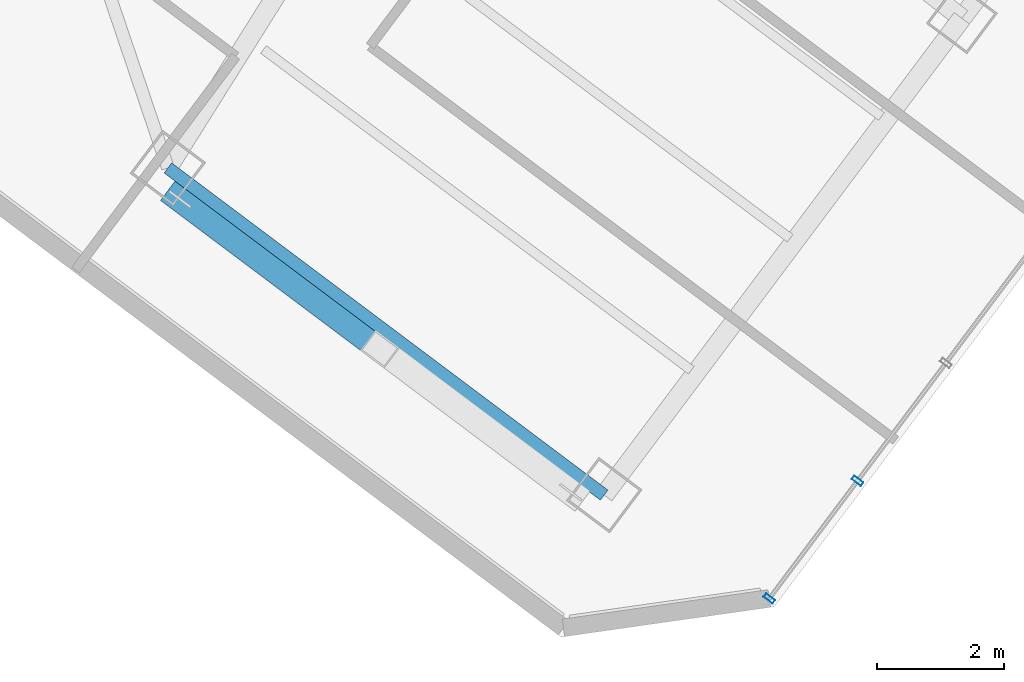
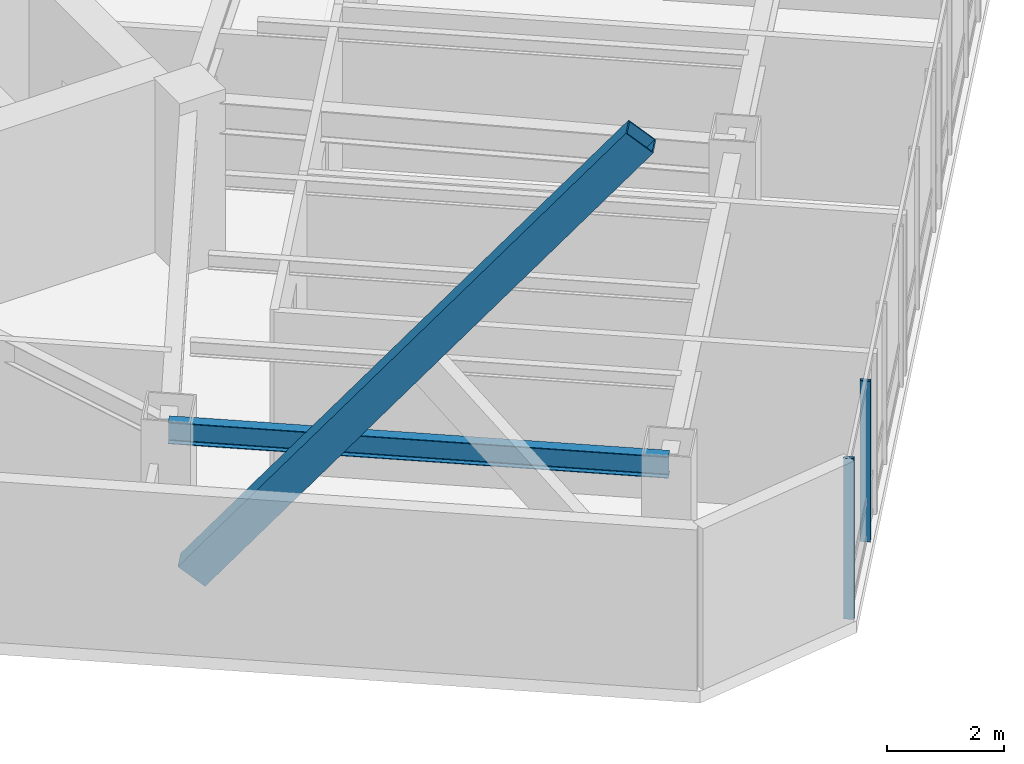
# One storey, part 10 of 27: 3 members, 1 beam, 1 element without a shape of its own.
"""IFC4 building model written with IfcOpenShell, lengths in metres."""

from ifc_helpers import new_model, si_unit, direction, frame, origin, origin_2d, place, context, subcontext, project, spatial, hollow_rectangle, i_section, extrude, material, layer, layer_set, material_profile, profile_set, type_object, element, aggregate, save


model = new_model("IFC4")

# Units and contexts
model_context = context("Model", 3, precision=1e-05, world=origin(), true_north=direction((0.0, 1.0)))
body_context = subcontext(model_context, "Body", "Model", "MODEL_VIEW")
ifc_project = project(units=[si_unit("LENGTHUNIT", "METRE"), si_unit("AREAUNIT", "SQUARE_METRE"), si_unit("VOLUMEUNIT", "CUBIC_METRE"), si_unit("PLANEANGLEUNIT", "RADIAN"), si_unit("MASSUNIT", "GRAM", prefix="KILO")], contexts=[model_context])

# Site, building, storey
site_placement = place(None, origin())
site = spatial("IfcSite", under=ifc_project, at=site_placement, CompositionType="ELEMENT")
building_placement = place(site_placement, origin())
building = spatial("IfcBuilding", under=site, at=building_placement, Name="Hatsunagi Terrace Concourse", CompositionType="ELEMENT")
storey_placement = place(building_placement, frame((0.0, 0.0, 145.64990234375)))
storey = spatial("IfcBuildingStorey", under=building, at=storey_placement, Name="L38", CompositionType="ELEMENT", Elevation=145.64990234375)

# Curtain wall, members
ifc_material_1 = material(Name="Anodised Aluminium Alloy 6063-T5", Category="aluminium")
ifc_layer = layer(ifc_material_1, 0.199951171875)
ifc_layer_set = layer_set([ifc_layer], Name="OfficeZone1_CW03")
curtain_wall_type = type_object("IfcCurtainWallType", Name="OfficeZone1_CW03", PredefinedType="NOTDEFINED", material=ifc_layer_set)
curtain_wall_placement = place(storey_placement, origin())
curtain_wall = element("IfcCurtainWall", 1, at=curtain_wall_placement, inside=storey, type_object=curtain_wall_type, Name="Unitised Curtain Wall CW-03 CW-L38-03", PredefinedType="NOTDEFINED")
ifc_material_2 = material(Name="Anodised Aluminium Alloy 6063-T5", Category="aluminium")
ifc_material_profile_1 = material_profile(ifc_material_2, hollow_rectangle(XDim=0.070068359375, YDim=0.179931640625, WallThickness=0.00390625, at=origin_2d()), Name="ALU-MUL-180x70x4")
ifc_profile_set_1 = profile_set([ifc_material_profile_1], Name="Anodised Aluminium Alloy 6063-T5")
member_type_1 = type_object("IfcMemberType", Name="CurtainWallMullion_180x70", PredefinedType="MULLION", material=ifc_profile_set_1)
member_1_placement = place(storey_placement, frame((49.554931640625, 11.10595703125, 0.0), z_axis=(0.0, 0.0, 1.0), x_axis=(-0.599969314634, -0.800023013105, 0.0)))
member_1 = element("IfcMember", 2, at=member_1_placement, type_object=member_type_1, Name="Curtain Wall Mullion MUL-02", PredefinedType="MULLION", context=body_context, shape_type="SweptSolid", body=[
    extrude(hollow_rectangle(XDim=0.070068359375, YDim=0.179931640625, WallThickness=0.00390625, at=origin_2d()), origin(), (0.0, 0.0, 1.0), 3.35009765625),
])
member_2_placement = place(storey_placement, frame((48.1630859375, 9.25, 0.0), z_axis=(0.0, 0.0, 1.0), x_axis=(-0.599969314634, -0.800023013105, 0.0)))
member_2 = element("IfcMember", 3, at=member_2_placement, type_object=member_type_1, Name="Curtain Wall Mullion MUL-02", PredefinedType="MULLION", context=body_context, shape_type="SweptSolid", body=[
    extrude(hollow_rectangle(XDim=0.070068359375, YDim=0.179931640625, WallThickness=0.00390625, at=origin_2d()), origin(), (0.0, 0.0, 1.0), 3.35009765625),
])
aggregate(curtain_wall, [member_1, member_2])

# Beam
ifc_material_3 = material(Name="Steel SN490B", Category="steel")
ifc_material_profile_2 = material_profile(ifc_material_3, i_section(OverallWidth=0.199951171875, OverallDepth=0.449951171875, WebThickness=0.009033203125, FlangeThickness=0.013916015625, FilletRadius=0.01611328125, at=origin_2d()), Name="H-450x200x9x14")
ifc_profile_set_2 = profile_set([ifc_material_profile_2], Name="Steel SN490B")
beam_type = type_object("IfcBeamType", Name="PerimeterSpandrel_H_450x200", PredefinedType="SPANDREL", material=ifc_profile_set_2)
beam_placement = place(storey_placement, frame((38.679931640625, 16.0400390625, 3.125), z_axis=(0.799996593451, -0.600004542038, 0.0), x_axis=(0.600004542038, 0.799996593451, 0.0)))
element("IfcBeam", 4, at=beam_placement, inside=storey, type_object=beam_type, Name="Beam SP-02 BM-L38-SE-SW2", PredefinedType="SPANDREL", context=body_context, shape_type="SweptSolid", body=[
    extrude(i_section(OverallWidth=0.199951171875, OverallDepth=0.449951171875, WebThickness=0.009033203125, FlangeThickness=0.013916015625, FilletRadius=0.01611328125, at=origin_2d()), origin(), (0.0, 0.0, 1.0), 8.60009765625),
])

# Member
ifc_material_4 = material(Name="Steel SN490B", Category="steel")
ifc_material_profile_3 = material_profile(ifc_material_4, hollow_rectangle(XDim=0.39990234375, YDim=0.60009765625, WallThickness=0.02490234375, at=origin_2d()), Name="RHS-600x400x25")
ifc_profile_set_3 = profile_set([ifc_material_profile_3], Name="Steel SN490B")
member_type_2 = type_object("IfcMemberType", Name="PerimeterXBrace_Mid_RHS_600x400x25", PredefinedType="BRACE", material=ifc_profile_set_3)
member_3_placement = place(storey_placement, frame((38.8720703125, 15.5458984375, 0.440185546875), z_axis=(0.498333123277, -0.373744904751, 0.782290767182), x_axis=(0.599994926839, 0.800003804845, 0.0)))
element("IfcMember", 5, at=member_3_placement, inside=storey, type_object=member_type_2, Name="Perimeter X-Brace XB-02 XB-L38-SEA", PredefinedType="BRACE", context=body_context, shape_type="SweptSolid", body=[
    extrude(hollow_rectangle(XDim=0.39990234375, YDim=0.60009765625, WallThickness=0.02490234375, at=origin_2d()), origin(), (0.0, 0.0, 1.0), 12.361083984375),
])

save(model, "model.ifc")
